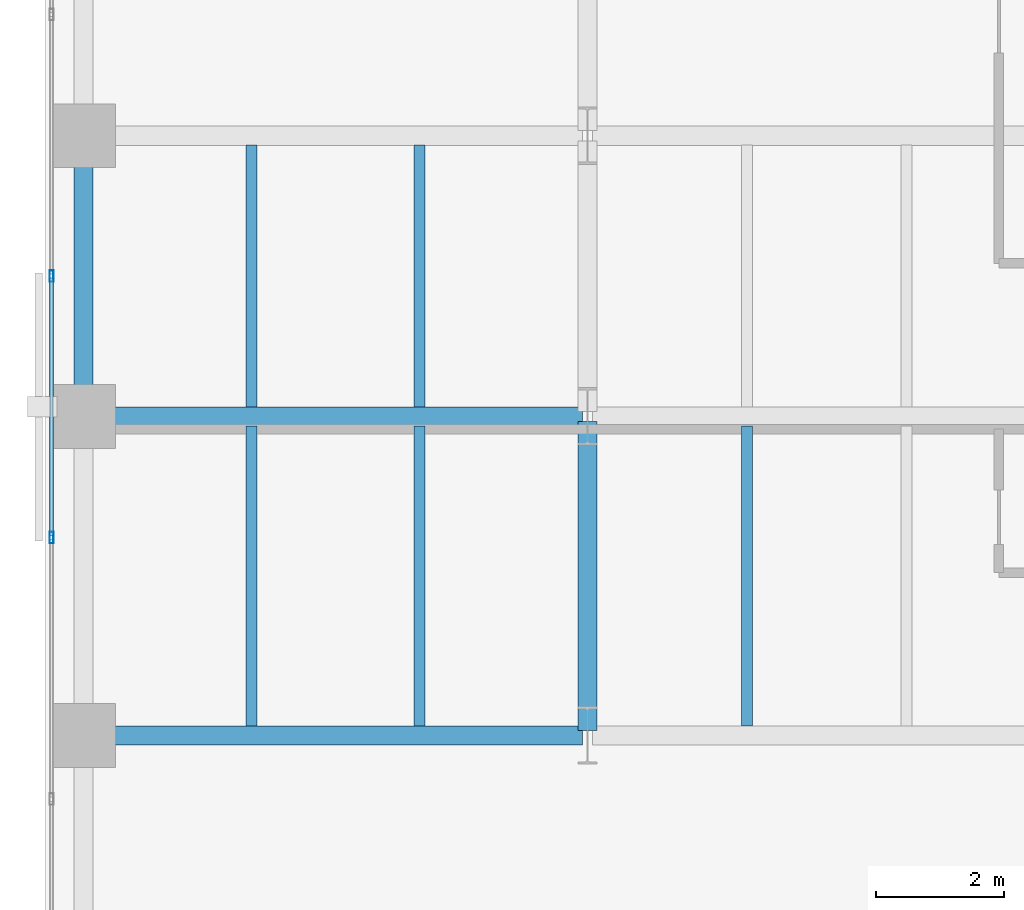
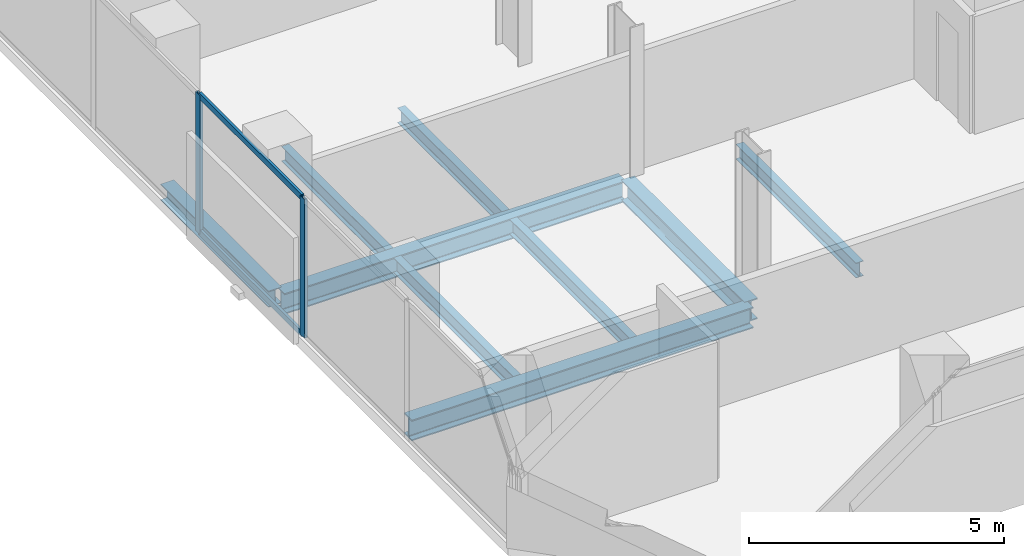
# One storey, part 4 of 31: 9 beams, 4 members, 1 element without a shape of its own.
"""IFC4 building model written with IfcOpenShell, lengths in metres."""

import ifcopenshell
import ifcopenshell.guid

model = None  # the IFC model being written
_history = None  # IfcOwnerHistory: only IFC2X3 demands one
_inside = {}  # id of a spatial element -> (the spatial element, [elements in it])
_under = {}  # id of a project, library or spatial element -> (it, [spatial elements below it])
_declared = {}  # id of a project -> (the project, [libraries it declares])
_typed = {}  # id of a type object -> (the type object, [elements of that type])
_made_of = {}  # id of a material, layer set ... -> (it, [elements and type objects made of it])


def new_model(schema):
    """Start an empty IFC model of exactly this schema.

    Asked for "IFC4X3", IfcOpenShell would pick the latest addendum, in which some entities
    have other attributes; the version numbers below select the first issue.
    IFC2X3 requires an IfcOwnerHistory on every rooted entity: one is made here for all.
    """
    global model, _history
    if schema == "IFC4X3":
        model = ifcopenshell.file(schema_version=(4, 3, 0, 0))
    else:
        model = ifcopenshell.file(schema=schema)
    _inside.clear()
    _under.clear()
    _declared.clear()
    _typed.clear()
    _made_of.clear()
    _history = None
    if model.schema == "IFC2X3":
        org = make("IfcOrganization", Name="unknown")
        user = make(
            "IfcPersonAndOrganization",
            ThePerson=make("IfcPerson", FamilyName="unknown"),
            TheOrganization=org,
        )
        app = make(
            "IfcApplication",
            ApplicationDeveloper=org,
            Version="unknown",
            ApplicationFullName="unknown",
            ApplicationIdentifier="unknown",
        )
        _history = make(
            "IfcOwnerHistory",
            OwningUser=user,
            OwningApplication=app,
            ChangeAction="ADDED",
            CreationDate=0,
        )
    return model


def make(cls, **values):
    """One entity of the class cls with the attributes given. An attribute that is None is left unset."""
    return model.create_entity(
        cls, **{name: value for name, value in values.items() if value is not None}
    )


def rooted(cls, **values):
    """An entity with a GlobalId (a new one), such as an element, a storey or a relation."""
    return make(cls, GlobalId=ifcopenshell.guid.new(), OwnerHistory=_history, **values)


def si_unit(unit_type, name, prefix=None):
    """IfcSIUnit, for example si_unit("LENGTHUNIT", "METRE", prefix="MILLI")."""
    return make("IfcSIUnit", UnitType=unit_type, Prefix=prefix, Name=name)


def assignment(units):
    """IfcUnitAssignment: the units of a project."""
    return None if units is None else make("IfcUnitAssignment", Units=units)


def point(xyz):
    """IfcCartesianPoint."""
    return None if xyz is None else make("IfcCartesianPoint", Coordinates=xyz)


def direction(xyz):
    """IfcDirection."""
    return None if xyz is None else make("IfcDirection", DirectionRatios=xyz)


def frame(location, z_axis=None, x_axis=None):
    """IfcAxis2Placement3D, a coordinate frame: its origin and axes. An axis left out is left unset."""
    return make(
        "IfcAxis2Placement3D",
        Location=point(location),
        Axis=direction(z_axis),
        RefDirection=direction(x_axis),
    )


def frame_2d(location, x_axis=None):
    """IfcAxis2Placement2D, a coordinate frame in the plane: its origin and x axis."""
    return make(
        "IfcAxis2Placement2D", Location=point(location), RefDirection=direction(x_axis)
    )


def origin():
    """The frame at (0, 0, 0) with its axes left unset."""
    return frame((0.0, 0.0, 0.0))


def origin_2d():
    """The frame at (0, 0) in the plane with its x axis left unset."""
    return frame_2d((0.0, 0.0))


def place(relative_to, where):
    """IfcLocalPlacement: puts the frame where relative to a parent placement (None: the world)."""
    return make(
        "IfcLocalPlacement", PlacementRelTo=relative_to, RelativePlacement=where
    )


def context(
    kind, dimensions, precision=None, world=None, true_north=None, identifier=None
):
    """IfcGeometricRepresentationContext, for example the 3D "Model" context."""
    return make(
        "IfcGeometricRepresentationContext",
        ContextIdentifier=identifier,
        ContextType=kind,
        CoordinateSpaceDimension=dimensions,
        Precision=precision,
        WorldCoordinateSystem=world,
        TrueNorth=true_north,
    )


def subcontext(parent, identifier, kind, view, scale=None):
    """IfcGeometricRepresentationSubContext, for example "Body" below "Model"."""
    return make(
        "IfcGeometricRepresentationSubContext",
        ContextIdentifier=identifier,
        ContextType=kind,
        ParentContext=parent,
        TargetScale=scale,
        TargetView=view,
    )


def project(units=None, contexts=None):
    """IfcProject with its units and contexts."""
    return rooted(
        "IfcProject",
        Name="project",
        RepresentationContexts=contexts,
        UnitsInContext=assignment(units),
    )


def spatial(cls, under=None, at=None, **own):
    """A site, building, storey or space (cls), placed at a placement, below another one or the project."""
    s = rooted(cls, ObjectPlacement=at, **own)
    if under is not None:
        _under.setdefault(under.id(), (under, []))[1].append(s)
    return s


def profile(cls, at=None, kind="AREA", **sizes):
    """A parametric profile (cls). Its sizes go by their IFC names, for example OverallWidth=200.0."""
    return make(cls, ProfileType=kind, Position=at, **sizes)


def hollow_rectangle(**sizes):
    """IfcRectangleHollowProfileDef."""
    return profile("IfcRectangleHollowProfileDef", **sizes)


def i_section(**sizes):
    """IfcIShapeProfileDef."""
    return profile("IfcIShapeProfileDef", **sizes)


def extrude(swept, where, along, depth):
    """IfcExtrudedAreaSolid: the profile swept, set in the frame where, extruded along a direction by depth."""
    return make(
        "IfcExtrudedAreaSolid",
        SweptArea=swept,
        Position=where,
        ExtrudedDirection=direction(along),
        Depth=depth,
    )


def shape(context_of_items, identifier, shape_type, items):
    """IfcShapeRepresentation: the items that make up one representation, for example the "Body"."""
    return make(
        "IfcShapeRepresentation",
        ContextOfItems=context_of_items,
        RepresentationIdentifier=identifier,
        RepresentationType=shape_type,
        Items=items,
    )


def material(Name=None, Category=None):
    """IfcMaterial."""
    return make("IfcMaterial", Name=Name, Category=Category)


def layer(
    of_material, thickness, ventilated=None, Name=None, Category=None, Priority=None
):
    """IfcMaterialLayer: one layer of a wall or slab, of a material (None: an air gap)."""
    return make(
        "IfcMaterialLayer",
        Material=of_material,
        LayerThickness=thickness,
        IsVentilated=ventilated,
        Name=Name,
        Category=Category,
        Priority=Priority,
    )


def layer_set(layers, Name=None):
    """IfcMaterialLayerSet."""
    return make("IfcMaterialLayerSet", MaterialLayers=layers, LayerSetName=Name)


def material_profile(
    of_material, cross_section, Name=None, Category=None, Priority=None
):
    """IfcMaterialProfile: a cross section and its material."""
    return make(
        "IfcMaterialProfile",
        Name=Name,
        Material=of_material,
        Profile=cross_section,
        Priority=Priority,
        Category=Category,
    )


def profile_set(profiles, Name=None, composite=None):
    """IfcMaterialProfileSet."""
    return make(
        "IfcMaterialProfileSet",
        Name=Name,
        MaterialProfiles=profiles,
        CompositeProfile=composite,
    )


def made_of(thing, what):
    """Note that an element or type object is made of a material, layer set ...; save() writes the relation."""
    if what is not None:
        _made_of.setdefault(what.id(), (what, []))[1].append(thing)
    return thing


def type_object(cls, material=None, **own):
    """A type object (cls), such as IfcWallType, which elements share."""
    return made_of(rooted(cls, **own), material)


def element(
    cls,
    number,
    at=None,
    inside=None,
    cuts=None,
    type_object=None,
    material=None,
    context=None,
    identifier="Body",
    shape_type=None,
    held_by="IfcProductDefinitionShape",
    body=None,
    shapes=None,
    **own,
):
    """One element of the class cls, such as IfcWall. Its Tag is "e" and its number.

    at: its placement. inside: the storey or other place that contains it. cuts: it is an
    opening in that element (IfcRelVoidsElement). A single representation is given by context,
    identifier, shape_type and body (its items); several are given by shapes. held_by: the class
    of the entity that holds the representations. save() writes the other relations.
    """
    e = rooted(cls, Tag="e%d" % number, ObjectPlacement=at, **own)
    if body is not None:
        shapes = [shape(context, identifier, shape_type, body)]
    if shapes is not None:
        e.Representation = make(held_by, Representations=shapes)
    if inside is not None:
        _inside.setdefault(inside.id(), (inside, []))[1].append(e)
    if cuts is not None:
        rooted(
            "IfcRelVoidsElement", RelatingBuildingElement=cuts, RelatedOpeningElement=e
        )
    if type_object is not None:
        _typed.setdefault(type_object.id(), (type_object, []))[1].append(e)
    return made_of(e, material)


def aggregate(whole, parts):
    """IfcRelAggregates: a whole, such as a stair, and the parts it consists of."""
    return rooted("IfcRelAggregates", RelatingObject=whole, RelatedObjects=parts)


def save(model, path):
    """Write the relations noted so far, then the file.

    IfcRelAggregates (storeys below a building ...), IfcRelContainedInSpatialStructure (elements
    in a storey), IfcRelDefinesByType, IfcRelAssociatesMaterial and IfcRelDeclares: one each for
    every whole, place, type object, material and project.
    """
    for whole, parts in _under.values():
        aggregate(whole, parts)
    for where, things in _inside.values():
        rooted(
            "IfcRelContainedInSpatialStructure",
            RelatedElements=things,
            RelatingStructure=where,
        )
    for kind, things in _typed.values():
        rooted("IfcRelDefinesByType", RelatedObjects=things, RelatingType=kind)
    for what, things in _made_of.values():
        rooted("IfcRelAssociatesMaterial", RelatedObjects=things, RelatingMaterial=what)
    for by, libraries in _declared.values():
        rooted("IfcRelDeclares", RelatingContext=by, RelatedDefinitions=libraries)
    model.write(path)


model = new_model("IFC4")

# Units and contexts
model_context = context("Model", 3, precision=1e-05, world=origin(), true_north=direction((0.0, 1.0)))
body_context = subcontext(model_context, "Body", "Model", "MODEL_VIEW")
ifc_project = project(units=[si_unit("LENGTHUNIT", "METRE"), si_unit("AREAUNIT", "SQUARE_METRE"), si_unit("VOLUMEUNIT", "CUBIC_METRE"), si_unit("PLANEANGLEUNIT", "RADIAN"), si_unit("MASSUNIT", "GRAM", prefix="KILO")], contexts=[model_context])

# Site, building, storey
site_placement = place(None, origin())
site = spatial("IfcSite", under=ifc_project, at=site_placement, CompositionType="ELEMENT")
building_placement = place(site_placement, origin())
building = spatial("IfcBuilding", under=site, at=building_placement, Name="Catumbela Crestline Tower", CompositionType="ELEMENT")
storey_placement = place(building_placement, frame((0.0, 0.0, 40.2)))
storey = spatial("IfcBuildingStorey", under=building, at=storey_placement, Name="L09", CompositionType="ELEMENT", Elevation=40.2)

# Beams
ifc_material_1 = material(Name="Structural steel S355J2", Category="steel")
ifc_material_profile_1 = material_profile(ifc_material_1, i_section(OverallWidth=0.3, OverallDepth=0.5, WebThickness=0.0145, FlangeThickness=0.028, FilletRadius=0.027, at=origin_2d()), Name="HEB 500")
ifc_profile_set_1 = profile_set([ifc_material_profile_1], Name="Structural steel S355J2")
beam_type_1 = type_object("IfcBeamType", Name="BG-HEB500", PredefinedType="BEAM", material=ifc_profile_set_1)
for number, where, z_axis, x_axis, name in (
    (1, (0.68, 8.6, -0.51), (1.0, 0.0, 0.0), (0.0, 1.0, 0.0), "L09 Beam BM-L09-WEW48"),
    (2, (0.68, 13.6, -0.51), (1.0, 0.0, 0.0), (0.0, 1.0, 0.0), "L09 Beam BM-L09-WEW51"),
):
    element("IfcBeam", number, at=place(storey_placement, frame(where, z_axis=z_axis, x_axis=x_axis)), inside=storey, type_object=beam_type_1, Name=name, PredefinedType="BEAM", context=body_context, shape_type="SweptSolid", body=[
        extrude(i_section(OverallWidth=0.3, OverallDepth=0.5, WebThickness=0.0145, FlangeThickness=0.028, FilletRadius=0.027, at=origin_2d()), origin(), (0.0, 0.0, 1.0), 7.74),
    ])
beam_1_placement = place(storey_placement, frame((8.5, 8.68, -0.51), z_axis=(0.0, 1.0, 0.0), x_axis=(-1.0, 0.0, 0.0)))
element("IfcBeam", 3, at=beam_1_placement, inside=storey, type_object=beam_type_1, Name="L09 Beam BM-L09-WNS61", PredefinedType="BEAM", context=body_context, shape_type="SweptSolid", body=[
    extrude(i_section(OverallWidth=0.3, OverallDepth=0.5, WebThickness=0.0145, FlangeThickness=0.028, FilletRadius=0.027, at=origin_2d()), origin(), (0.0, 0.0, 1.0), 4.84),
])
ifc_material_profile_2 = material_profile(ifc_material_1, i_section(OverallWidth=0.17, OverallDepth=0.36, WebThickness=0.008, FlangeThickness=0.0127, FilletRadius=0.018, at=origin_2d()), Name="IPE 360")
ifc_profile_set_2 = profile_set([ifc_material_profile_2], Name="Structural steel S355J2")
beam_type_2 = type_object("IfcBeamType", Name="BJ-IPE360", PredefinedType="JOIST", material=ifc_profile_set_2)
for number, where, z_axis, x_axis, name in (
    (4, (3.233, 8.747, -0.44), (0.0, 1.0, 0.0), (-1.0, 0.0, 0.0), "L09 Joist JS-L09-WG70"),
    (5, (5.867, 8.747, -0.44), (0.0, 1.0, 0.0), (-1.0, 0.0, 0.0), "L09 Joist JS-L09-WG71"),
    (6, (11.0, 8.747, -0.44), (0.0, 1.0, 0.0), (-1.0, 0.0, 0.0), "L09 Joist JS-L09-WG72"),
):
    element("IfcBeam", number, at=place(storey_placement, frame(where, z_axis=z_axis, x_axis=x_axis)), inside=storey, type_object=beam_type_2, Name=name, PredefinedType="JOIST", context=body_context, shape_type="SweptSolid", body=[
        extrude(i_section(OverallWidth=0.17, OverallDepth=0.36, WebThickness=0.008, FlangeThickness=0.0127, FilletRadius=0.018, at=origin_2d()), origin(), (0.0, 0.0, 1.0), 4.706),
    ])
for number, where, z_axis, x_axis, name in (
    (7, (3.233, 13.747, -0.44), (0.0, 1.0, 0.0), (-1.0, 0.0, 0.0), "L09 Joist JS-L09-WG76"),
    (8, (5.867, 13.747, -0.44), (0.0, 1.0, 0.0), (-1.0, 0.0, 0.0), "L09 Joist JS-L09-WG77"),
):
    element("IfcBeam", number, at=place(storey_placement, frame(where, z_axis=z_axis, x_axis=x_axis)), inside=storey, type_object=beam_type_2, Name=name, PredefinedType="JOIST", context=body_context, shape_type="SweptSolid", body=[
        extrude(i_section(OverallWidth=0.17, OverallDepth=0.36, WebThickness=0.008, FlangeThickness=0.0127, FilletRadius=0.018, at=origin_2d()), origin(), (0.0, 0.0, 1.0), 4.106),
    ])

# Curtain wall, members
ifc_material_2 = material(Name="Aluminium alloy AW-6060-T66", Category="aluminium")
ifc_layer = layer(ifc_material_2, 0.18, Name="Aluminium alloy AW-6060-T66")
ifc_layer_set = layer_set([ifc_layer], Name="Aluminium alloy AW-6060-T66")
curtain_wall_type = type_object("IfcCurtainWallType", Name="CWU-Z1", PredefinedType="USERDEFINED", material=ifc_layer_set)
curtain_wall_placement = place(storey_placement, origin())
curtain_wall = element("IfcCurtainWall", 9, at=curtain_wall_placement, inside=storey, type_object=curtain_wall_type, Name="L09 Unitised Curtain Wall CW-L09-E9S1", ObjectType="UNITISED", PredefinedType="USERDEFINED")
ifc_material_profile_3 = material_profile(ifc_material_2, hollow_rectangle(XDim=0.065, YDim=0.18, WallThickness=0.004, at=origin_2d()), Name="ALU 180x65x4")
ifc_profile_set_3 = profile_set([ifc_material_profile_3], Name="Aluminium alloy AW-6060-T66")
member_type_1 = type_object("IfcMemberType", Name="MUL-180X65", PredefinedType="MULLION", material=ifc_profile_set_3)
member_1_placement = place(storey_placement, frame((0.1, 15.8, 0.0), z_axis=(0.0, 0.0, 1.0), x_axis=(1.0, 0.0, 0.0)))
member_1 = element("IfcMember", 10, at=member_1_placement, type_object=member_type_1, Name="CWU-Z1 mullion 8", PredefinedType="MULLION", context=body_context, shape_type="SweptSolid", body=[
    extrude(hollow_rectangle(XDim=0.065, YDim=0.18, WallThickness=0.004, at=origin_2d()), origin(), (0.0, 0.0, 1.0), 3.33),
])
member_2_placement = place(storey_placement, frame((0.1, 11.7, 0.0), z_axis=(0.0, 0.0, 1.0), x_axis=(1.0, 0.0, 0.0)))
member_2 = element("IfcMember", 11, at=member_2_placement, type_object=member_type_1, Name="CWU-Z1 mullion 9", PredefinedType="MULLION", context=body_context, shape_type="SweptSolid", body=[
    extrude(hollow_rectangle(XDim=0.065, YDim=0.18, WallThickness=0.004, at=origin_2d()), origin(), (0.0, 0.0, 1.0), 3.33),
])

# Beam
ifc_material_profile_4 = material_profile(ifc_material_1, i_section(OverallWidth=0.3, OverallDepth=0.39, WebThickness=0.011, FlangeThickness=0.019, FilletRadius=0.027, at=origin_2d()), Name="HEA 400")
ifc_profile_set_4 = profile_set([ifc_material_profile_4], Name="Structural steel S355J2")
beam_type_3 = type_object("IfcBeamType", Name="BS-HEA400", PredefinedType="SPANDREL", material=ifc_profile_set_4)
beam_2_placement = place(storey_placement, frame((0.6, 13.68, -0.455), z_axis=(0.0, 1.0, 0.0), x_axis=(-1.0, 0.0, 0.0)))
element("IfcBeam", 12, at=beam_2_placement, inside=storey, type_object=beam_type_3, Name="L09 Spandrel SP-L09-WNS59", PredefinedType="SPANDREL", context=body_context, shape_type="SweptSolid", body=[
    extrude(i_section(OverallWidth=0.3, OverallDepth=0.39, WebThickness=0.011, FlangeThickness=0.019, FilletRadius=0.027, at=origin_2d()), origin(), (0.0, 0.0, 1.0), 4.24),
])

# Member
ifc_material_profile_5 = material_profile(ifc_material_2, hollow_rectangle(XDim=0.06, YDim=0.14, WallThickness=0.004, at=origin_2d()), Name="ALU 140x60x4")
ifc_profile_set_5 = profile_set([ifc_material_profile_5], Name="Aluminium alloy AW-6060-T66")
member_type_2 = type_object("IfcMemberType", Name="TRN-140X60", PredefinedType="USERDEFINED", material=ifc_profile_set_5)
member_3_placement = place(storey_placement, frame((0.1, 15.7675, 0.03), z_axis=(0.0, -1.0, 0.0), x_axis=(1.0, 0.0, 0.0)))
member_3 = element("IfcMember", 13, at=member_3_placement, type_object=member_type_2, Name="CWU-Z1 transom 8.1", ObjectType="TRANSOM", PredefinedType="USERDEFINED", context=body_context, shape_type="SweptSolid", body=[
    extrude(hollow_rectangle(XDim=0.06, YDim=0.14, WallThickness=0.004, at=origin_2d()), origin(), (0.0, 0.0, 1.0), 4.035),
])

member_4_placement = place(storey_placement, frame((0.1, 15.7675, 3.3), z_axis=(0.0, -1.0, 0.0), x_axis=(1.0, 0.0, 0.0)))
member_4 = element("IfcMember", 14, at=member_4_placement, type_object=member_type_2, Name="CWU-Z1 transom 8.2", ObjectType="TRANSOM", PredefinedType="USERDEFINED", context=body_context, shape_type="SweptSolid", body=[
    extrude(hollow_rectangle(XDim=0.06, YDim=0.14, WallThickness=0.004, at=origin_2d()), origin(), (0.0, 0.0, 1.0), 4.035),
])

aggregate(curtain_wall, [member_1, member_2, member_3, member_4])

save(model, "model.ifc")
